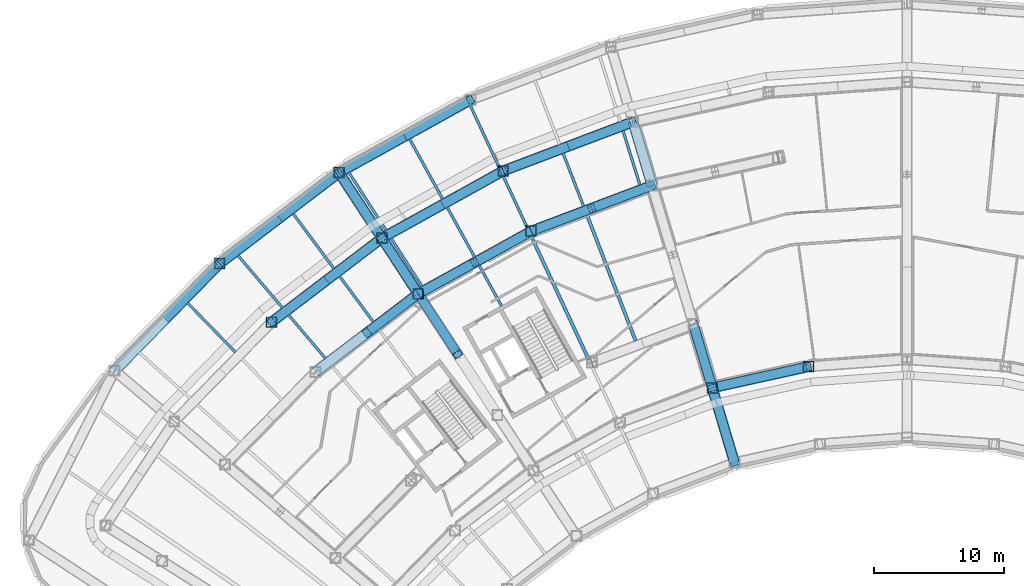
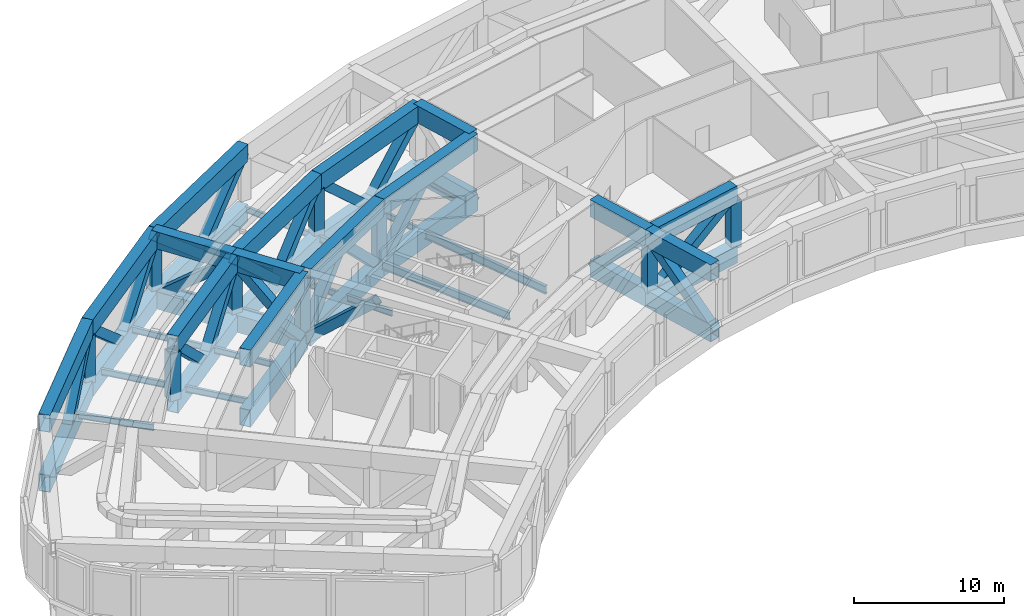
# One storey, part 3 of 30: 46 beams, 31 members.
"""IFC4 building model written with IfcOpenShell, lengths in metres."""

from ifc_helpers import new_model, si_unit, direction, frame, origin, origin_2d, place, context, subcontext, project, spatial, hollow_rectangle, i_section, extrude, material, material_profile, profile_set, type_object, element, save


model = new_model("IFC4")

# Units and contexts
model_context = context("Model", 3, precision=1e-05, world=origin(), true_north=direction((0.0, 1.0)))
body_context = subcontext(model_context, "Body", "Model", "MODEL_VIEW")
ifc_project = project(units=[si_unit("LENGTHUNIT", "METRE"), si_unit("AREAUNIT", "SQUARE_METRE"), si_unit("VOLUMEUNIT", "CUBIC_METRE"), si_unit("PLANEANGLEUNIT", "RADIAN"), si_unit("MASSUNIT", "GRAM", prefix="KILO")], contexts=[model_context])

# Site, building, storey
site_placement = place(None, origin())
site = spatial("IfcSite", under=ifc_project, at=site_placement, CompositionType="ELEMENT")
building_placement = place(site_placement, origin())
building = spatial("IfcBuilding", under=site, at=building_placement, Name="Tuul Gate Civic Tower", CompositionType="ELEMENT")
storey_placement = place(building_placement, frame((0.0, 0.0, 26.699951171875)))
storey = spatial("IfcBuildingStorey", under=building, at=storey_placement, Name="Plant and refuge floor 1", CompositionType="ELEMENT", Elevation=26.699951171875)

# Beams
ifc_material_1 = material(Name="Steel S355", Category="steel")
ifc_material_profile_1 = material_profile(ifc_material_1, i_section(OverallWidth=0.199951171875, OverallDepth=0.5, WebThickness=0.010009765625, FlangeThickness=0.01611328125, at=origin_2d()), Name="PG500x200x10x16")
ifc_profile_set_1 = profile_set([ifc_material_profile_1], Name="Steel S355")
beam_type_1 = type_object("IfcBeamType", Name="STR-FLOOR BEAM-PG500x200x10x16", PredefinedType="BEAM", material=ifc_profile_set_1)
beam_1_placement = place(storey_placement, frame((-20.54443359375, 5.951904296875, -0.64990234375), z_axis=(-0.297423386988, 0.954745688062, 0.0), x_axis=(-0.954745688062, -0.297423386988, 0.0)))
element("IfcBeam", 1, at=beam_1_placement, inside=storey, type_object=beam_type_1, Name="Floor beam", PredefinedType="BEAM", context=body_context, shape_type="SweptSolid", body=[
    extrude(i_section(OverallWidth=0.199951171875, OverallDepth=0.5, WebThickness=0.010009765625, FlangeThickness=0.01611328125, at=origin_2d()), origin(), (0.0, 0.0, 1.0), 4.407958984375),
])
beam_2_placement = place(storey_placement, frame((-24.877197265625, 4.3134765625, -0.64990234375), z_axis=(-0.36076682718, 0.932656043998, 0.0), x_axis=(-0.932656043998, -0.36076682718, 0.0)))
element("IfcBeam", 2, at=beam_2_placement, inside=storey, type_object=beam_type_1, Name="Floor beam", PredefinedType="BEAM", context=body_context, shape_type="SweptSolid", body=[
    extrude(i_section(OverallWidth=0.199951171875, OverallDepth=0.5, WebThickness=0.010009765625, FlangeThickness=0.01611328125, at=origin_2d()), origin(), (0.0, 0.0, 1.0), 4.400146484375),
])
beam_3_placement = place(storey_placement, frame((-29.20458984375, 2.652099609375, -0.64990234375), z_axis=(-0.422467229526, 0.906378199195, 0.0), x_axis=(-0.906378199195, -0.422467229526, 0.0)))
element("IfcBeam", 3, at=beam_3_placement, inside=storey, type_object=beam_type_1, Name="Floor beam", PredefinedType="BEAM", context=body_context, shape_type="SweptSolid", body=[
    extrude(i_section(OverallWidth=0.199951171875, OverallDepth=0.5, WebThickness=0.010009765625, FlangeThickness=0.01611328125, at=origin_2d()), origin(), (0.0, 0.0, 1.0), 4.410400390625),
])
beam_4_placement = place(storey_placement, frame((-31.3642578125, 7.28564453125, -0.64990234375), z_axis=(-0.422508103945, 0.90635914631, 0.0), x_axis=(-0.90635914631, -0.422508103945, 0.0)))
element("IfcBeam", 4, at=beam_4_placement, inside=storey, type_object=beam_type_1, Name="Floor beam", PredefinedType="BEAM", context=body_context, shape_type="SweptSolid", body=[
    extrude(i_section(OverallWidth=0.199951171875, OverallDepth=0.5, WebThickness=0.010009765625, FlangeThickness=0.01611328125, at=origin_2d()), origin(), (0.0, 0.0, 1.0), 5.313232421875),
])
beam_5_placement = place(storey_placement, frame((-31.19873046875, -3.33642578125, -0.64990234375), z_axis=(-0.482278272267, 0.876018075213, 0.0), x_axis=(-0.876018075213, -0.482278272267, 0.0)))
element("IfcBeam", 5, at=beam_5_placement, inside=storey, type_object=beam_type_1, Name="Floor beam", PredefinedType="BEAM", context=body_context, shape_type="SweptSolid", body=[
    extrude(i_section(OverallWidth=0.199951171875, OverallDepth=0.5, WebThickness=0.010009765625, FlangeThickness=0.01611328125, at=origin_2d()), origin(), (0.0, 0.0, 1.0), 3.57080078125),
])
beam_6_placement = place(storey_placement, frame((-33.258544921875, 0.40478515625, -0.64990234375), z_axis=(-0.482308508126, 0.876001428646, 0.0), x_axis=(-0.876001428646, -0.482308508126, 0.0)))
element("IfcBeam", 6, at=beam_6_placement, inside=storey, type_object=beam_type_1, Name="Floor beam", PredefinedType="BEAM", context=body_context, shape_type="SweptSolid", body=[
    extrude(i_section(OverallWidth=0.199951171875, OverallDepth=0.5, WebThickness=0.010009765625, FlangeThickness=0.01611328125, at=origin_2d()), origin(), (0.0, 0.0, 1.0), 4.39990234375),
])
beam_7_placement = place(storey_placement, frame((-35.71826171875, 4.872314453125, -0.64990234375), z_axis=(-0.482330703826, 0.87598920778, 0.0), x_axis=(-0.87598920778, -0.482330703826, 0.0)))
element("IfcBeam", 7, at=beam_7_placement, inside=storey, type_object=beam_type_1, Name="Floor beam", PredefinedType="BEAM", context=body_context, shape_type="SweptSolid", body=[
    extrude(i_section(OverallWidth=0.199951171875, OverallDepth=0.5, WebThickness=0.010009765625, FlangeThickness=0.01611328125, at=origin_2d()), origin(), (0.0, 0.0, 1.0), 5.300048828125),
])
beam_8_placement = place(storey_placement, frame((-37.31103515625, -1.841552734375, -0.64990234375), z_axis=(-0.539996142974, 0.841667491099, 0.0), x_axis=(-0.841667491099, -0.539996142974, 0.0)))
element("IfcBeam", 8, at=beam_8_placement, inside=storey, type_object=beam_type_1, Name="Floor beam", PredefinedType="BEAM", context=body_context, shape_type="SweptSolid", body=[
    extrude(i_section(OverallWidth=0.199951171875, OverallDepth=0.5, WebThickness=0.010009765625, FlangeThickness=0.01611328125, at=origin_2d()), origin(), (0.0, 0.0, 1.0), 4.408935546875),
])
beam_9_placement = place(storey_placement, frame((-40.070556640625, 2.4599609375, -0.64990234375), z_axis=(-0.539974357861, 0.841681467571, 0.0), x_axis=(-0.841681467571, -0.539974357861, 0.0)))
element("IfcBeam", 9, at=beam_9_placement, inside=storey, type_object=beam_type_1, Name="Floor beam", PredefinedType="BEAM", context=body_context, shape_type="SweptSolid", body=[
    extrude(i_section(OverallWidth=0.199951171875, OverallDepth=0.5, WebThickness=0.010009765625, FlangeThickness=0.01611328125, at=origin_2d()), origin(), (0.0, 0.0, 1.0), 5.310791015625),
])
beam_10_placement = place(storey_placement, frame((-41.045654296875, -4.584228515625, -0.64990234375), z_axis=(-0.595169171734, 0.803600433684, 0.0), x_axis=(-0.803600433684, -0.595169171734, 0.0)))
element("IfcBeam", 10, at=beam_10_placement, inside=storey, type_object=beam_type_1, Name="Floor beam", PredefinedType="BEAM", context=body_context, shape_type="SweptSolid", body=[
    extrude(i_section(OverallWidth=0.199951171875, OverallDepth=0.5, WebThickness=0.010009765625, FlangeThickness=0.01611328125, at=origin_2d()), origin(), (0.0, 0.0, 1.0), 4.400634765625),
])
beam_11_placement = place(storey_placement, frame((-44.08154296875, -0.4853515625, -0.64990234375), z_axis=(-0.595191196692, 0.803584120911, 0.0), x_axis=(-0.803584120911, -0.595191196692, 0.0)))
element("IfcBeam", 11, at=beam_11_placement, inside=storey, type_object=beam_type_1, Name="Floor beam", PredefinedType="BEAM", context=body_context, shape_type="SweptSolid", body=[
    extrude(i_section(OverallWidth=0.199951171875, OverallDepth=0.5, WebThickness=0.010009765625, FlangeThickness=0.01611328125, at=origin_2d()), origin(), (0.0, 0.0, 1.0), 5.300048828125),
])
beam_12_placement = place(storey_placement, frame((-44.730224609375, -7.3896484375, -0.64990234375), z_axis=(-0.647711132398, 0.761886007857, 0.0), x_axis=(-0.761886007857, -0.647711132398, 0.0)))
element("IfcBeam", 12, at=beam_12_placement, inside=storey, type_object=beam_type_1, Name="Floor beam", PredefinedType="BEAM", context=body_context, shape_type="SweptSolid", body=[
    extrude(i_section(OverallWidth=0.199951171875, OverallDepth=0.5, WebThickness=0.010009765625, FlangeThickness=0.01611328125, at=origin_2d()), origin(), (0.0, 0.0, 1.0), 4.406982421875),
])
beam_13_placement = place(storey_placement, frame((-48.038818359375, -3.498046875, -0.64990234375), z_axis=(-0.647732544888, 0.761867803686, 0.0), x_axis=(-0.761867803686, -0.647732544888, 0.0)))
element("IfcBeam", 13, at=beam_13_placement, inside=storey, type_object=beam_type_1, Name="Floor beam", PredefinedType="BEAM", context=body_context, shape_type="SweptSolid", body=[
    extrude(i_section(OverallWidth=0.199951171875, OverallDepth=0.5, WebThickness=0.010009765625, FlangeThickness=0.01611328125, at=origin_2d()), origin(), (0.0, 0.0, 1.0), 5.306884765625),
])
beam_14_placement = place(storey_placement, frame((-51.658935546875, -6.90869140625, -0.64990234375), z_axis=(-0.697368388305, 0.716712865095, 0.0), x_axis=(-0.716712865095, -0.697368388305, 0.0)))
element("IfcBeam", 14, at=beam_14_placement, inside=storey, type_object=beam_type_1, Name="Floor beam", PredefinedType="BEAM", context=body_context, shape_type="SweptSolid", body=[
    extrude(i_section(OverallWidth=0.199951171875, OverallDepth=0.5, WebThickness=0.010009765625, FlangeThickness=0.01611328125, at=origin_2d()), origin(), (0.0, 0.0, 1.0), 5.30078125),
])
ifc_material_2 = material(Name="Steel S355", Category="steel")
ifc_material_profile_2 = material_profile(ifc_material_2, i_section(OverallWidth=0.25, OverallDepth=0.64990234375, WebThickness=0.011962890625, FlangeThickness=0.02001953125, at=origin_2d()), Name="PG650x250x12x20")
ifc_profile_set_2 = profile_set([ifc_material_profile_2], Name="Steel S355")
beam_type_2 = type_object("IfcBeamType", Name="STR-FLOOR BEAM-PG650x250x12x20", PredefinedType="BEAM", material=ifc_profile_set_2)
beam_15_placement = place(storey_placement, frame((-20.87255859375, -6.039306640625, -0.724853515625), z_axis=(-0.360774794801, 0.932652961951, 0.0), x_axis=(-0.932652961951, -0.360774794801, 0.0)))
element("IfcBeam", 15, at=beam_15_placement, inside=storey, type_object=beam_type_2, Name="Floor beam", PredefinedType="BEAM", context=body_context, shape_type="SweptSolid", body=[
    extrude(i_section(OverallWidth=0.25, OverallDepth=0.64990234375, WebThickness=0.011962890625, FlangeThickness=0.02001953125, at=origin_2d()), origin(), (0.0, 0.0, 1.0), 10.400390625),
])
beam_16_placement = place(storey_placement, frame((-24.495361328125, -7.450439453125, -0.724853515625), z_axis=(-0.422482330247, 0.906371160524, 0.0), x_axis=(-0.906371160524, -0.422482330247, 0.0)))
element("IfcBeam", 16, at=beam_16_placement, inside=storey, type_object=beam_type_2, Name="Floor beam", PredefinedType="BEAM", context=body_context, shape_type="SweptSolid", body=[
    extrude(i_section(OverallWidth=0.25, OverallDepth=0.64990234375, WebThickness=0.011962890625, FlangeThickness=0.02001953125, at=origin_2d()), origin(), (0.0, 0.0, 1.0), 10.4443359375),
])
ifc_material_3 = material(Name="Steel S460", Category="steel")
ifc_material_profile_3 = material_profile(ifc_material_3, hollow_rectangle(XDim=0.800048828125, YDim=1.39990234375, WallThickness=0.0400390625, at=origin_2d()), Name="BOX1400x800x40")
ifc_profile_set_3 = profile_set([ifc_material_profile_3], Name="Steel S460")
beam_type_3 = type_object("IfcBeamType", Name="STR-TRANSFER TRUSS CHORD-BOX1400x800x40", PredefinedType="BEAM", material=ifc_profile_set_3)
beam_17_placement = place(storey_placement, frame((-21.076416015625, 10.8291015625, -1.099853515625), z_axis=(0.285222788824, -0.95846124634, 0.0), x_axis=(0.95846124634, 0.285222788824, 0.0)))
element("IfcBeam", 17, at=beam_17_placement, inside=storey, type_object=beam_type_3, Name="Radial truss bottom chord", PredefinedType="BEAM", context=body_context, shape_type="SweptSolid", body=[
    extrude(hollow_rectangle(XDim=0.800048828125, YDim=1.39990234375, WallThickness=0.0400390625, at=origin_2d()), origin(), (0.0, 0.0, 1.0), 5.113525390625),
])
beam_18_placement = place(storey_placement, frame((-16.444091796875, -4.739013671875, -1.099853515625), z_axis=(0.285235841416, -0.958457362, 0.0), x_axis=(0.958457362, 0.285235841416, 0.0)))
element("IfcBeam", 18, at=beam_18_placement, inside=storey, type_object=beam_type_3, Name="Radial truss bottom chord", PredefinedType="BEAM", context=body_context, shape_type="SweptSolid", body=[
    extrude(hollow_rectangle(XDim=0.800048828125, YDim=1.39990234375, WallThickness=0.0400390625, at=origin_2d()), origin(), (0.0, 0.0, 1.0), 5.11328125),
])
beam_19_placement = place(storey_placement, frame((-14.985595703125, -9.639892578125, -1.099853515625), z_axis=(0.285172819855, -0.958476114891, 0.0), x_axis=(0.958476114891, 0.285172819855, 0.0)))
element("IfcBeam", 19, at=beam_19_placement, inside=storey, type_object=beam_type_3, Name="Radial truss bottom chord", PredefinedType="BEAM", context=body_context, shape_type="SweptSolid", body=[
    extrude(hollow_rectangle(XDim=0.800048828125, YDim=1.39990234375, WallThickness=0.0400390625, at=origin_2d()), origin(), (0.0, 0.0, 1.0), 6.015869140625),
])
beam_20_placement = place(storey_placement, frame((-21.076416015625, 10.8291015625, 3.800048828125), z_axis=(0.285222788824, -0.95846124634, 0.0), x_axis=(0.95846124634, 0.285222788824, 0.0)))
element("IfcBeam", 20, at=beam_20_placement, inside=storey, type_object=beam_type_3, Name="Radial truss top chord", PredefinedType="BEAM", context=body_context, shape_type="SweptSolid", body=[
    extrude(hollow_rectangle(XDim=0.800048828125, YDim=1.39990234375, WallThickness=0.0400390625, at=origin_2d()), origin(), (0.0, 0.0, 1.0), 5.113525390625),
])
beam_21_placement = place(storey_placement, frame((-16.444091796875, -4.739013671875, 3.800048828125), z_axis=(0.285235841416, -0.958457362, 0.0), x_axis=(0.958457362, 0.285235841416, 0.0)))
element("IfcBeam", 21, at=beam_21_placement, inside=storey, type_object=beam_type_3, Name="Radial truss top chord", PredefinedType="BEAM", context=body_context, shape_type="SweptSolid", body=[
    extrude(hollow_rectangle(XDim=0.800048828125, YDim=1.39990234375, WallThickness=0.0400390625, at=origin_2d()), origin(), (0.0, 0.0, 1.0), 5.11328125),
])
beam_22_placement = place(storey_placement, frame((-14.985595703125, -9.639892578125, 3.800048828125), z_axis=(0.285172819855, -0.958476114891, 0.0), x_axis=(0.958476114891, 0.285172819855, 0.0)))
element("IfcBeam", 22, at=beam_22_placement, inside=storey, type_object=beam_type_3, Name="Radial truss top chord", PredefinedType="BEAM", context=body_context, shape_type="SweptSolid", body=[
    extrude(hollow_rectangle(XDim=0.800048828125, YDim=1.39990234375, WallThickness=0.0400390625, at=origin_2d()), origin(), (0.0, 0.0, 1.0), 6.015869140625),
])
beam_23_placement = place(storey_placement, frame((-43.69091796875, 6.9130859375, -1.099853515625), z_axis=(0.546704708955, -0.837325481045, 0.0), x_axis=(0.837325481045, 0.546704708955, 0.0)))
element("IfcBeam", 23, at=beam_23_placement, inside=storey, type_object=beam_type_3, Name="Radial truss bottom chord", PredefinedType="BEAM", context=body_context, shape_type="SweptSolid", body=[
    extrude(hollow_rectangle(XDim=0.800048828125, YDim=1.39990234375, WallThickness=0.0400390625, at=origin_2d()), origin(), (0.0, 0.0, 1.0), 6.015625),
])
beam_24_placement = place(storey_placement, frame((-40.402099609375, 1.8759765625, -1.099853515625), z_axis=(0.546675507761, -0.837344546298, 0.0), x_axis=(0.837344546298, 0.546675507761, 0.0)))
element("IfcBeam", 24, at=beam_24_placement, inside=storey, type_object=beam_type_3, Name="Radial truss bottom chord", PredefinedType="BEAM", context=body_context, shape_type="SweptSolid", body=[
    extrude(hollow_rectangle(XDim=0.800048828125, YDim=1.39990234375, WallThickness=0.0400390625, at=origin_2d()), origin(), (0.0, 0.0, 1.0), 5.113525390625),
])
beam_25_placement = place(storey_placement, frame((-43.69091796875, 6.9130859375, 3.800048828125), z_axis=(0.546704708955, -0.837325481045, 0.0), x_axis=(0.837325481045, 0.546704708955, 0.0)))
element("IfcBeam", 25, at=beam_25_placement, inside=storey, type_object=beam_type_3, Name="Radial truss top chord", PredefinedType="BEAM", context=body_context, shape_type="SweptSolid", body=[
    extrude(hollow_rectangle(XDim=0.800048828125, YDim=1.39990234375, WallThickness=0.0400390625, at=origin_2d()), origin(), (0.0, 0.0, 1.0), 6.015625),
])
beam_26_placement = place(storey_placement, frame((-40.402099609375, 1.8759765625, 3.800048828125), z_axis=(0.546675507761, -0.837344546298, 0.0), x_axis=(0.837344546298, 0.546675507761, 0.0)))
element("IfcBeam", 26, at=beam_26_placement, inside=storey, type_object=beam_type_3, Name="Radial truss top chord", PredefinedType="BEAM", context=body_context, shape_type="SweptSolid", body=[
    extrude(hollow_rectangle(XDim=0.800048828125, YDim=1.39990234375, WallThickness=0.0400390625, at=origin_2d()), origin(), (0.0, 0.0, 1.0), 5.113525390625),
])
for number, where, z_axis, x_axis, name in (
    (27, (-52.8779296875, -0.08203125, -1.099853515625), (-0.700020251799, -0.714122991558, 0.0), (0.714122991558, -0.700020251799, 0.0), "Belt truss bottom chord"),
    (28, (-52.8779296875, -0.08203125, 3.800048828125), (-0.700020251799, -0.714122991558, 0.0), (0.714122991558, -0.700020251799, 0.0), "Belt truss top chord"),
    (29, (-43.69091796875, 6.9130859375, -1.099853515625), (-0.795619999011, -0.605796019444, 0.0), (0.605796019444, -0.795619999011, 0.0), "Belt truss bottom chord"),
    (30, (-43.69091796875, 6.9130859375, 3.800048828125), (-0.795619999011, -0.605796019444, 0.0), (0.605796019444, -0.795619999011, 0.0), "Belt truss top chord"),
):
    element("IfcBeam", number, at=place(storey_placement, frame(where, z_axis=z_axis, x_axis=x_axis)), inside=storey, type_object=beam_type_3, Name=name, PredefinedType="BEAM", context=body_context, shape_type="SweptSolid", body=[
        extrude(hollow_rectangle(XDim=0.800048828125, YDim=1.39990234375, WallThickness=0.0400390625, at=origin_2d()), origin(), (0.0, 0.0, 1.0), 11.546875),
    ])
for number, where, z_axis, x_axis, name in (
    (31, (-33.592041015625, 12.510986328125, -1.099853515625), (-0.874619652569, -0.484809718694, 0.0), (0.484809718694, -0.874619652569, 0.0), "Belt truss bottom chord"),
    (32, (-33.592041015625, 12.510986328125, 3.800048828125), (-0.874619652569, -0.484809718694, 0.0), (0.484809718694, -0.874619652569, 0.0), "Belt truss top chord"),
):
    element("IfcBeam", number, at=place(storey_placement, frame(where, z_axis=z_axis, x_axis=x_axis)), inside=storey, type_object=beam_type_3, Name=name, PredefinedType="BEAM", context=body_context, shape_type="SweptSolid", body=[
        extrude(hollow_rectangle(XDim=0.800048828125, YDim=1.39990234375, WallThickness=0.0400390625, at=origin_2d()), origin(), (0.0, 0.0, 1.0), 11.546630859375),
    ])
for number, where, z_axis, x_axis, name in (
    (33, (-40.72119140625, 1.633056640625, -1.099853515625), (-0.795657438141, -0.605746845746, 0.0), (0.605746845746, -0.795657438141, 0.0), "Belt truss bottom chord"),
    (34, (-40.72119140625, 1.633056640625, 3.800048828125), (-0.795657438141, -0.605746845746, 0.0), (0.605746845746, -0.795657438141, 0.0), "Belt truss top chord"),
):
    element("IfcBeam", number, at=place(storey_placement, frame(where, z_axis=z_axis, x_axis=x_axis)), inside=storey, type_object=beam_type_3, Name=name, PredefinedType="BEAM", context=body_context, shape_type="SweptSolid", body=[
        extrude(hollow_rectangle(XDim=0.800048828125, YDim=1.39990234375, WallThickness=0.0400390625, at=origin_2d()), origin(), (0.0, 0.0, 1.0), 10.276611328125),
    ])
for number, where, z_axis, x_axis, name in (
    (35, (-21.076904296875, 10.8291015625, -1.099853515625), (-0.935341677357, -0.353745595873, 0.0), (0.353745595873, -0.935341677357, 0.0), "Belt truss bottom chord"),
    (36, (-21.076904296875, 10.8291015625, 3.800048828125), (-0.935341677357, -0.353745595873, 0.0), (0.353745595873, -0.935341677357, 0.0), "Belt truss top chord"),
):
    element("IfcBeam", number, at=place(storey_placement, frame(where, z_axis=z_axis, x_axis=x_axis)), inside=storey, type_object=beam_type_3, Name=name, PredefinedType="BEAM", context=body_context, shape_type="SweptSolid", body=[
        extrude(hollow_rectangle(XDim=0.800048828125, YDim=1.39990234375, WallThickness=0.0400390625, at=origin_2d()), origin(), (0.0, 0.0, 1.0), 10.677490234375),
    ])
for number, where, z_axis, x_axis, name in (
    (37, (-31.06396484375, 7.052001953125, -1.099853515625), (-0.874627142999, -0.484796205358, 0.0), (0.484796205358, -0.874627142999, 0.0), "Belt truss bottom chord"),
    (38, (-31.06396484375, 7.052001953125, 3.800048828125), (-0.874627142999, -0.484796205358, 0.0), (0.484796205358, -0.874627142999, 0.0), "Belt truss top chord"),
):
    element("IfcBeam", number, at=place(storey_placement, frame(where, z_axis=z_axis, x_axis=x_axis)), inside=storey, type_object=beam_type_3, Name=name, PredefinedType="BEAM", context=body_context, shape_type="SweptSolid", body=[
        extrude(hollow_rectangle(XDim=0.800048828125, YDim=1.39990234375, WallThickness=0.0400390625, at=origin_2d()), origin(), (0.0, 0.0, 1.0), 10.6767578125),
    ])
for number, where, z_axis, x_axis, name in (
    (39, (-37.255859375, -2.211181640625, -1.099853515625), (0.874604855115, 0.48483641304, 0.0), (-0.48483641304, 0.874604855115, 0.0), "Belt truss bottom chord"),
    (40, (-37.255859375, -2.211181640625, 3.800048828125), (0.874604855115, 0.48483641304, 0.0), (-0.48483641304, 0.874604855115, 0.0), "Belt truss top chord"),
):
    element("IfcBeam", number, at=place(storey_placement, frame(where, z_axis=z_axis, x_axis=x_axis)), inside=storey, type_object=beam_type_3, Name=name, PredefinedType="BEAM", context=body_context, shape_type="SweptSolid", body=[
        extrude(hollow_rectangle(XDim=0.800048828125, YDim=1.39990234375, WallThickness=0.0400390625, at=origin_2d()), origin(), (0.0, 0.0, 1.0), 9.537841796875),
    ])
for number, where, z_axis, x_axis, name in (
    (41, (-45.513916015625, -8.42626953125, -1.099853515625), (0.795627920499, 0.605785615645, 0.0), (-0.605785615645, 0.795627920499, 0.0), "Belt truss bottom chord"),
    (42, (-45.513916015625, -8.42626953125, 3.800048828125), (0.795627920499, 0.605785615645, 0.0), (-0.605785615645, 0.795627920499, 0.0), "Belt truss top chord"),
):
    element("IfcBeam", number, at=place(storey_placement, frame(where, z_axis=z_axis, x_axis=x_axis)), inside=storey, type_object=beam_type_3, Name=name, PredefinedType="BEAM", context=body_context, shape_type="SweptSolid", body=[
        extrude(hollow_rectangle(XDim=0.800048828125, YDim=1.39990234375, WallThickness=0.0400390625, at=origin_2d()), origin(), (0.0, 0.0, 1.0), 9.938232421875),
    ])
for number, where, z_axis, x_axis, name in (
    (43, (-28.9140625, 2.4130859375, -1.099853515625), (0.935371714164, 0.353666165108, 0.0), (-0.353666165108, 0.935371714164, 0.0), "Belt truss bottom chord"),
    (44, (-28.9140625, 2.4130859375, 3.800048828125), (0.935371714164, 0.353666165108, 0.0), (-0.353666165108, 0.935371714164, 0.0), "Belt truss top chord"),
):
    element("IfcBeam", number, at=place(storey_placement, frame(where, z_axis=z_axis, x_axis=x_axis)), inside=storey, type_object=beam_type_3, Name=name, PredefinedType="BEAM", context=body_context, shape_type="SweptSolid", body=[
        extrude(hollow_rectangle(XDim=0.800048828125, YDim=1.39990234375, WallThickness=0.0400390625, at=origin_2d()), origin(), (0.0, 0.0, 1.0), 9.9384765625),
    ])
for number, where, z_axis, x_axis, name in (
    (45, (-14.59423828125, -9.5537109375, -1.099853515625), (0.976565031632, 0.215222533655, 0.0), (-0.215222533655, 0.976565031632, 0.0), "Belt truss bottom chord"),
    (46, (-14.59423828125, -9.5537109375, 3.800048828125), (0.976565031632, 0.215222533655, 0.0), (-0.215222533655, 0.976565031632, 0.0), "Belt truss top chord"),
):
    element("IfcBeam", number, at=place(storey_placement, frame(where, z_axis=z_axis, x_axis=x_axis)), inside=storey, type_object=beam_type_3, Name=name, PredefinedType="BEAM", context=body_context, shape_type="SweptSolid", body=[
        extrude(hollow_rectangle(XDim=0.800048828125, YDim=1.39990234375, WallThickness=0.0400390625, at=origin_2d()), origin(), (0.0, 0.0, 1.0), 7.190673828125),
    ])

# Members
ifc_material_4 = material(Name="Steel S355", Category="steel")
ifc_material_profile_4 = material_profile(ifc_material_4, hollow_rectangle(XDim=0.699951171875, YDim=0.699951171875, WallThickness=0.031982421875, at=origin_2d()), Name="BOX700x700x32")
ifc_profile_set_4 = profile_set([ifc_material_profile_4], Name="Steel S355")
member_type_1 = type_object("IfcMemberType", Name="STR-TRANSFER TRUSS DIAGONAL-BOX700x700x32", PredefinedType="BRACE", material=ifc_profile_set_4)
member_1_placement = place(storey_placement, frame((-16.445068359375, -4.735595703125, -1.103515625), z_axis=(0.205927899284, -0.692003114579, 0.691899840808), x_axis=(0.958461699543, 0.285221265877, 0.0)))
element("IfcMember", 47, at=member_1_placement, inside=storey, type_object=member_type_1, Name="Radial truss web", PredefinedType="BRACE", context=body_context, shape_type="SweptSolid", body=[
    extrude(hollow_rectangle(XDim=0.699951171875, YDim=0.699951171875, WallThickness=0.031982421875, at=origin_2d()), origin(), (0.0, 0.0, 1.0), 7.092041015625),
])
for number, where, z_axis, x_axis, name in (
    (48, (-13.268798828125, -15.40966796875, -1.10302734375), (-0.221141037313, 0.743149531105, 0.63152625918), (-0.958464214021, -0.285212816055, 0.0), "Radial truss web"),
    (49, (-43.693115234375, 6.916259765625, -1.10302734375), (0.423872368114, -0.649227406054, 0.631534631495), (0.837337147265, 0.546686840714, 0.0), "Radial truss web"),
):
    element("IfcMember", number, at=place(storey_placement, frame(where, z_axis=z_axis, x_axis=x_axis)), inside=storey, type_object=member_type_1, Name=name, PredefinedType="BRACE", context=body_context, shape_type="SweptSolid", body=[
        extrude(hollow_rectangle(XDim=0.699951171875, YDim=0.699951171875, WallThickness=0.031982421875, at=origin_2d()), origin(), (0.0, 0.0, 1.0), 7.768798828125),
    ])
member_2_placement = place(storey_placement, frame((-37.604736328125, -2.40869140625, -1.103515625), z_axis=(-0.394708079251, 0.604558109873, 0.69189234998), x_axis=(-0.837337318413, -0.546686578574, 0.0)))
element("IfcMember", 50, at=member_2_placement, inside=storey, type_object=member_type_1, Name="Radial truss web", PredefinedType="BRACE", context=body_context, shape_type="SweptSolid", body=[
    extrude(hollow_rectangle(XDim=0.699951171875, YDim=0.699951171875, WallThickness=0.031982421875, at=origin_2d()), origin(), (0.0, 0.0, 1.0), 7.092041015625),
])
member_3_placement = place(storey_placement, frame((-37.608642578125, -2.402587890625, -1.103271484375), z_axis=(0.410286204307, -0.628401808472, 0.660890609454), x_axis=(0.837330678226, 0.546696748939, 0.0)))
element("IfcMember", 51, at=member_3_placement, inside=storey, type_object=member_type_1, Name="Radial truss web", PredefinedType="BRACE", context=body_context, shape_type="SweptSolid", body=[
    extrude(hollow_rectangle(XDim=0.699951171875, YDim=0.699951171875, WallThickness=0.031982421875, at=origin_2d()), origin(), (0.0, 0.0, 1.0), 7.42431640625),
])
for number, where, z_axis, x_axis, name in (
    (52, (-56.922119140625, -4.207763671875, -1.103271484375), (0.533710589686, 0.544464652002, 0.647079013086), (-0.714124166661, 0.70001905302, 0.0), "Belt truss web"),
    (53, (-48.28759765625, 3.4130859375, -1.103271484375), (0.606602380663, 0.461874264894, 0.647074736953), (-0.605795074613, 0.795620718418, 0.0), "Belt truss web"),
    (54, (-48.281494140625, 3.417724609375, -1.103271484375), (-0.606611401475, -0.461848935391, 0.647084359631), (0.605768341223, -0.795641072828, 0.0), "Belt truss web"),
    (55, (-38.644775390625, 9.710205078125, -1.103271484375), (0.666822265176, 0.369633974129, 0.647084841296), (-0.484818004915, 0.874615059389, 0.0), "Belt truss web"),
    (56, (-38.63818359375, 9.7138671875, -1.103271484375), (-0.666822265176, -0.369633974129, 0.647084841296), (0.484818004915, -0.874615059389, 0.0), "Belt truss web"),
):
    element("IfcMember", number, at=place(storey_placement, frame(where, z_axis=z_axis, x_axis=x_axis)), inside=storey, type_object=member_type_1, Name=name, PredefinedType="BRACE", context=body_context, shape_type="SweptSolid", body=[
        extrude(hollow_rectangle(XDim=0.699951171875, YDim=0.699951171875, WallThickness=0.031982421875, at=origin_2d()), origin(), (0.0, 0.0, 1.0), 7.58251953125),
    ])
for number, where, z_axis, x_axis, name in (
    (57, (-44.65283203125, -1.3603515625, -1.103271484375), (0.586181034166, 0.446288895036, 0.676178983222), (-0.605763872928, 0.795644474785, 0.0), "Belt truss web"),
    (58, (-44.64697265625, -1.355712890625, -1.103271484375), (-0.58620311722, -0.446280093545, 0.67616564795), (0.605741863572, -0.795661231126, 0.0), "Belt truss web"),
    (59, (-26.073974609375, 8.939208984375, -1.103271484375), (0.689101557489, 0.260608371463, 0.676182164945), (-0.353734461939, 0.935345888127, 0.0), "Belt truss web"),
):
    element("IfcMember", number, at=place(storey_placement, frame(where, z_axis=z_axis, x_axis=x_axis)), inside=storey, type_object=member_type_1, Name=name, PredefinedType="BRACE", context=body_context, shape_type="SweptSolid", body=[
        extrude(hollow_rectangle(XDim=0.699951171875, YDim=0.699951171875, WallThickness=0.031982421875, at=origin_2d()), origin(), (0.0, 0.0, 1.0), 7.256591796875),
    ])
for number, where, z_axis, x_axis, name in (
    (60, (-26.067138671875, 8.94189453125, -1.103271484375), (-0.689083888964, -0.26061441355, 0.676197841922), (0.353749572017, -0.935340173572, 0.0), "Belt truss web"),
    (61, (-35.736328125, 4.462158203125, -1.103271484375), (0.644347977923, 0.357148649452, 0.676210415138), (-0.484789614278, 0.87463079633, 0.0), "Belt truss web"),
    (62, (-35.729736328125, 4.4658203125, -1.103271484375), (-0.644347977923, -0.357148649452, 0.676210415138), (0.484789614278, -0.87463079633, 0.0), "Belt truss web"),
):
    element("IfcMember", number, at=place(storey_placement, frame(where, z_axis=z_axis, x_axis=x_axis)), inside=storey, type_object=member_type_1, Name=name, PredefinedType="BRACE", context=body_context, shape_type="SweptSolid", body=[
        extrude(hollow_rectangle(XDim=0.699951171875, YDim=0.699951171875, WallThickness=0.031982421875, at=origin_2d()), origin(), (0.0, 0.0, 1.0), 7.25634765625),
    ])
for number, where, z_axis, x_axis, name in (
    (63, (-37.60986328125, -2.407470703125, -1.103515625), (0.622777855141, 0.345238587747, 0.702109721252), (-0.484838824859, 0.874603518121, 0.0), "Belt truss web"),
    (64, (-28.910888671875, 2.414794921875, -1.103515625), (-0.622777855141, -0.345238587747, 0.702109721252), (0.484838824859, -0.874603518121, 0.0), "Belt truss web"),
):
    element("IfcMember", number, at=place(storey_placement, frame(where, z_axis=z_axis, x_axis=x_axis)), inside=storey, type_object=member_type_1, Name=name, PredefinedType="BRACE", context=body_context, shape_type="SweptSolid", body=[
        extrude(hollow_rectangle(XDim=0.699951171875, YDim=0.699951171875, WallThickness=0.031982421875, at=origin_2d()), origin(), (0.0, 0.0, 1.0), 6.989013671875),
    ])
for number, where, z_axis, x_axis, name in (
    (65, (-37.603759765625, -2.403564453125, -1.103515625), (-0.566541480068, -0.431351226778, 0.70211599506), (0.605777124006, -0.795634385903, 0.0), "Belt truss web"),
    (66, (-28.917236328125, 2.41162109375, -1.103515625), (0.666010960407, 0.251871965619, 0.702132404574), (-0.353729704922, 0.935347687149, 0.0), "Belt truss web"),
):
    element("IfcMember", number, at=place(storey_placement, frame(where, z_axis=z_axis, x_axis=x_axis)), inside=storey, type_object=member_type_1, Name=name, PredefinedType="BRACE", context=body_context, shape_type="SweptSolid", body=[
        extrude(hollow_rectangle(XDim=0.699951171875, YDim=0.699951171875, WallThickness=0.031982421875, at=origin_2d()), origin(), (0.0, 0.0, 1.0), 6.98876953125),
    ])
member_4_placement = place(storey_placement, frame((-19.61474609375, 5.92919921875, -1.103515625), z_axis=(-0.666016820188, -0.251839247665, 0.702138582164), x_axis=(0.353686781561, -0.935363918777, 0.0)))
element("IfcMember", 67, at=member_4_placement, inside=storey, type_object=member_type_1, Name="Belt truss web", PredefinedType="BRACE", context=body_context, shape_type="SweptSolid", body=[
    extrude(hollow_rectangle(XDim=0.699951171875, YDim=0.699951171875, WallThickness=0.031982421875, at=origin_2d()), origin(), (0.0, 0.0, 1.0), 6.988525390625),
])
member_5_placement = place(storey_placement, frame((-14.989990234375, -9.640869140625, -1.102783203125), z_axis=(0.820498882854, 0.180827687087, 0.54229413681), x_axis=(-0.215222705133, 0.976564993841, 0.0)))
element("IfcMember", 68, at=member_5_placement, inside=storey, type_object=member_type_1, Name="Belt truss web", PredefinedType="BRACE", context=body_context, shape_type="SweptSolid", body=[
    extrude(hollow_rectangle(XDim=0.699951171875, YDim=0.699951171875, WallThickness=0.031982421875, at=origin_2d()), origin(), (0.0, 0.0, 1.0), 9.0458984375),
])
ifc_material_5 = material(Name="Steel S355", Category="steel")
ifc_material_profile_5 = material_profile(ifc_material_5, hollow_rectangle(XDim=0.800048828125, YDim=0.800048828125, WallThickness=0.034912109375, at=origin_2d()), Name="BOX800x800x35")
ifc_profile_set_5 = profile_set([ifc_material_profile_5], Name="Steel S355")
member_type_2 = type_object("IfcMemberType", Name="STR-TRUSS POST-BOX800x800x35", PredefinedType="POST", material=ifc_profile_set_5)
for number, where, z_axis, x_axis, name in (
    (69, (-14.985595703125, -9.639892578125, -0.594970703125), (0.0, 0.0, 1.0), (1.0, 0.0, 0.0), "Radial truss post"),
    (70, (-43.69091796875, 6.9130859375, -0.594970703125), (0.0, 0.0, 1.0), (1.0, 0.0, 0.0), "Radial truss post"),
    (71, (-40.402099609375, 1.8759765625, -0.594970703125), (0.0, 0.0, 1.0), (1.0, 0.0, 0.0), "Radial truss post"),
    (72, (-37.606689453125, -2.40576171875, -0.594970703125), (0.0, 0.0, 1.0), (1.0, 0.0, 0.0), "Radial truss post"),
    (73, (-52.8779296875, -0.08203125, -0.594970703125), (0.0, 0.0, 1.0), (1.0, 0.0, 0.0), "Belt truss post"),
    (74, (-48.89794921875, -4.592041015625, -0.594970703125), (0.0, 0.0, 1.0), (1.0, 0.0, 0.0), "Belt truss post"),
    (75, (-31.06396484375, 7.052001953125, -0.594970703125), (0.0, 0.0, 1.0), (1.0, 0.0, 0.0), "Belt truss post"),
    (76, (-28.9140625, 2.4130859375, -0.594970703125), (0.0, 0.0, 1.0), (1.0, 0.0, 0.0), "Belt truss post"),
    (77, (-7.572021484375, -8.006103515625, -0.594970703125), (0.0, 0.0, 1.0), (1.0, 0.0, 0.0), "Belt truss post"),
):
    element("IfcMember", number, at=place(storey_placement, frame(where, z_axis=z_axis, x_axis=x_axis)), inside=storey, type_object=member_type_2, Name=name, PredefinedType="POST", context=body_context, shape_type="SweptSolid", body=[
        extrude(hollow_rectangle(XDim=0.800048828125, YDim=0.800048828125, WallThickness=0.034912109375, at=origin_2d()), origin(), (0.0, 0.0, 1.0), 3.89013671875),
    ])

save(model, "model.ifc")
